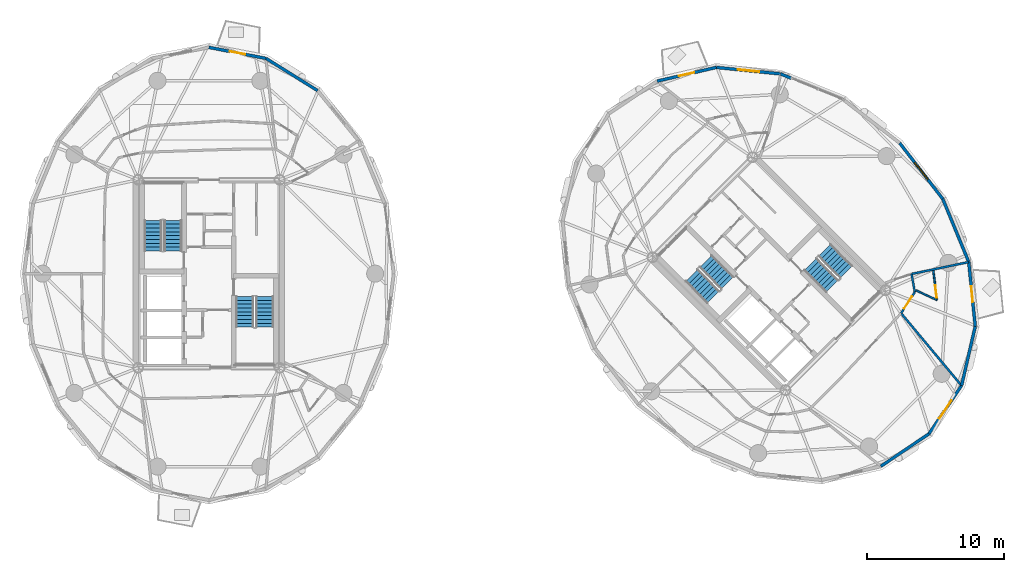
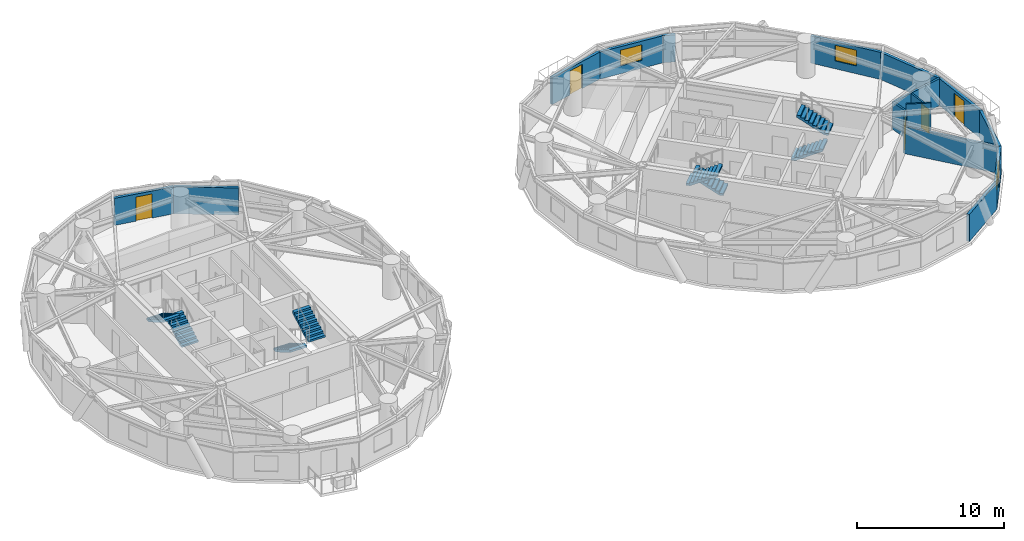
# One storey, part 13 of 16: 17 walls, 8 stair flights, 5 doors, 3 windows, 8 openings, 4 elements without a shape of their own.
"""IFC4 building model written with IfcOpenShell, lengths in metres."""

from ifc_helpers import new_model, si_unit, direction, frame, frame_2d, origin, place, context, subcontext, project, spatial, polyline, rectangle, outline, extrude, source, transform, mapped, material, layer, layer_set, type_object, element, fill, aggregate, save


model = new_model("IFC4")

# Units and contexts
model_context = context("Model", 3, precision=1e-05, world=origin(), true_north=direction((0.0, 1.0)))
body_context = subcontext(model_context, "Body", "Model", "MODEL_VIEW")
ifc_project = project(units=[si_unit("LENGTHUNIT", "METRE"), si_unit("AREAUNIT", "SQUARE_METRE"), si_unit("VOLUMEUNIT", "CUBIC_METRE"), si_unit("PLANEANGLEUNIT", "RADIAN"), si_unit("MASSUNIT", "GRAM", prefix="KILO")], contexts=[model_context])

# Site, building, storey
site_placement = place(None, origin())
site = spatial("IfcSite", under=ifc_project, at=site_placement, CompositionType="ELEMENT")
building_placement = place(site_placement, origin())
building = spatial("IfcBuilding", under=site, at=building_placement, Name="Cununo Teusaquillo Station Towers", CompositionType="ELEMENT")
storey_placement = place(building_placement, frame((0.0, 0.0, 171.969970703125)))
storey = spatial("IfcBuildingStorey", under=building, at=storey_placement, Name="L54", CompositionType="ELEMENT", Elevation=171.969970703125)

# Wall
ifc_material_1 = material(Name="Precast concrete C40/50", Category="concrete")
ifc_layer_1 = layer(ifc_material_1, 0.219970703125)
ifc_layer_set_1 = layer_set([ifc_layer_1], Name="Precast concrete C40/50")
wall_type_1 = type_object("IfcWallType", Name="WL-EXT-220", PredefinedType="SOLIDWALL", material=ifc_layer_set_1)
wall_1_placement = place(storey_placement, frame((20.681396484375, 40.259033203125, 0.0), z_axis=(0.0, 0.0, 1.0), x_axis=(0.848399108042, -0.529357113368, 0.0)))
element("IfcWall", 1, at=wall_1_placement, inside=storey, type_object=wall_type_1, Name="L54 Tower A Exterior Facade Wall C03", PredefinedType="SOLIDWALL", context=body_context, shape_type="SweptSolid", body=[
    extrude(rectangle(XDim=4.446044921875, YDim=0.219970703125, at=frame_2d((2.22314453125, 0.0))), origin(), (0.0, 0.0, 1.0), 2.2451171875),
])

# Wall, opening, door
wall_2_placement = place(storey_placement, frame((16.5, 41.070068359375, 0.0), z_axis=(0.0, 0.0, 1.0), x_axis=(0.981703883443, -0.190413983815, 0.0)))
wall_2 = element("IfcWall", 2, at=wall_2_placement, inside=storey, type_object=wall_type_1, Name="L54 Tower A Exterior Facade Wall C04", PredefinedType="SOLIDWALL", context=body_context, shape_type="SweptSolid", body=[
    extrude(rectangle(XDim=4.25927734375, YDim=0.219970703125, at=frame_2d((2.129638671875, 0.0))), origin(), (0.0, 0.0, 1.0), 2.2451171875),
])
shared_shape_1 = source(origin(), body_context, "Body", "SweptSolid", [
    extrude(rectangle(XDim=1.14990234375, YDim=2.0048828125, at=frame_2d((0.574951171875, 1.00244140625))), frame((0.0, 0.119873046875, 0.0), z_axis=(0.0, -1.0, 0.0), x_axis=(1.0, 0.0, 0.0)), (0.0, 0.0, 1.0), 0.239990234375),
])
opening_1_placement = place(wall_2_placement, frame((1.554931640625, 0.0, 0.0)))
opening_1 = element("IfcOpeningElement", 3, at=opening_1_placement, cuts=wall_2, Name="Opening ED-03", PredefinedType="OPENING", context=body_context, shape_type="MappedRepresentation", body=[
    mapped(shared_shape_1, transform((0.0, 0.0, 0.0), x_axis=(1.0, 0.0, 0.0), y_axis=(0.0, 1.0, 0.0), z_axis=(0.0, 0.0, 1.0), scale=1.0)),
])
ifc_material_2 = material(Name="Anodised dark bronze aluminium EN AW-6063-T6", Category="aluminium")
door_type_1 = type_object("IfcDoorType", Name="DR-EXT-BAL", OperationType="NOTDEFINED", PredefinedType="DOOR", material=ifc_material_2)
shared_shape_2 = source(origin(), body_context, "Body", "SweptSolid", [
    extrude(rectangle(XDim=1.14990234375, YDim=2.0048828125, at=frame_2d((0.574951171875, 1.00244140625))), frame((0.0, 0.02490234375, 0.0), z_axis=(0.0, -1.0, 0.0), x_axis=(1.0, 0.0, 0.0)), (0.0, 0.0, 1.0), 0.050048828125),
])
door_1_placement = place(opening_1_placement, origin())
door_1 = element("IfcDoor", 4, at=door_1_placement, inside=storey, type_object=door_type_1, Name="L54 Tower A Tree Balcony Door C04", OperationType="SINGLE_SWING_LEFT", OverallHeight=2.0048828125, OverallWidth=1.14990234375, PredefinedType="DOOR", context=body_context, shape_type="MappedRepresentation", body=[
    mapped(shared_shape_2, transform((0.0, 0.0, 0.0), x_axis=(1.0, 0.0, 0.0), y_axis=(0.0, 1.0, 0.0), z_axis=(0.0, 0.0, 1.0), scale=1.0)),
])
fill(opening_1, door_1)

# Wall
wall_3_placement = place(storey_placement, frame((58.353515625, 39.12744140625, 0.0), z_axis=(0.0, 0.0, 1.0), x_axis=(0.924556017656, -0.381046152345, 0.0)))
element("IfcWall", 5, at=wall_3_placement, inside=storey, type_object=wall_type_1, Name="L54 Tower B Column Pier Cladding Wall C01-PA", PredefinedType="SOLIDWALL", context=body_context, shape_type="SweptSolid", body=[
    extrude(rectangle(XDim=0.8701171875, YDim=0.219970703125, at=frame_2d((0.43505859375, 0.0))), origin(), (0.0, 0.0, 1.0), 2.2451171875),
])

# Wall, opening, window
wall_4_placement = place(storey_placement, frame((53.644775390625, 39.602783203125, 0.0), z_axis=(0.0, 0.0, 1.0), x_axis=(0.994943283129, -0.100438356004, 0.0)))
wall_4 = element("IfcWall", 6, at=wall_4_placement, inside=storey, type_object=wall_type_1, Name="L54 Tower B Exterior Facade Wall C02", PredefinedType="SOLIDWALL", context=body_context, shape_type="SweptSolid", body=[
    extrude(rectangle(XDim=4.732666015625, YDim=0.219970703125, at=frame_2d((2.3662109375, 0.0))), origin(), (0.0, 0.0, 1.0), 2.2451171875),
])
shared_shape_3 = source(origin(), body_context, "Body", "SweptSolid", [
    extrude(rectangle(XDim=1.60009765625, YDim=1.300048828125, at=frame_2d((0.800048828125, 0.64990234375))), frame((0.0, 0.119873046875, 0.0), z_axis=(0.0, -1.0, 0.0), x_axis=(1.0, 0.0, 0.0)), (0.0, 0.0, 1.0), 0.239990234375),
])
opening_2_placement = place(wall_4_placement, frame((1.56591796875, 0.0, 0.64990234375)))
opening_2 = element("IfcOpeningElement", 7, at=opening_2_placement, cuts=wall_4, Name="Opening WN-03", PredefinedType="OPENING", context=body_context, shape_type="MappedRepresentation", body=[
    mapped(shared_shape_3, transform((0.0, 0.0, 0.0), x_axis=(1.0, 0.0, 0.0), y_axis=(0.0, 1.0, 0.0), z_axis=(0.0, 0.0, 1.0), scale=1.0)),
])
ifc_material_3 = material(Name="Ceramic-fritted dark low-E double glazing", Category="glass")
window_type = type_object("IfcWindowType", Name="WIN-CORN-1600", PartitioningType="SINGLE_PANEL", PredefinedType="WINDOW", material=ifc_material_3)
shared_shape_4 = source(origin(), body_context, "Body", "SweptSolid", [
    extrude(rectangle(XDim=1.60009765625, YDim=1.300048828125, at=frame_2d((0.800048828125, 0.64990234375))), frame((0.0, 0.030029296875, 0.0), z_axis=(0.0, -1.0, 0.0), x_axis=(1.0, 0.0, 0.0)), (0.0, 0.0, 1.0), 0.06005859375),
])
window_1_placement = place(opening_2_placement, origin())
window_1 = element("IfcWindow", 8, at=window_1_placement, inside=storey, type_object=window_type, Name="L54 Tower B Facade Window C02", OverallHeight=1.300048828125, OverallWidth=1.60009765625, PartitioningType="SINGLE_PANEL", PredefinedType="WINDOW", context=body_context, shape_type="MappedRepresentation", body=[
    mapped(shared_shape_4, transform((0.0, 0.0, 0.0), x_axis=(1.0, 0.0, 0.0), y_axis=(0.0, 1.0, 0.0), z_axis=(0.0, 0.0, 1.0), scale=1.0)),
])
fill(opening_2, window_1)

# Wall, opening, door
wall_5_placement = place(storey_placement, frame((49.313232421875, 38.599853515625, 0.0), z_axis=(0.0, 0.0, 1.0), x_axis=(0.97422620202, 0.22557328587, 0.0)))
wall_5 = element("IfcWall", 9, at=wall_5_placement, inside=storey, type_object=wall_type_1, Name="L54 Tower B Exterior Facade Wall C03", PredefinedType="SOLIDWALL", context=body_context, shape_type="SweptSolid", body=[
    extrude(rectangle(XDim=4.446044921875, YDim=0.219970703125, at=frame_2d((2.22314453125, 0.0))), origin(), (0.0, 0.0, 1.0), 2.2451171875),
])
opening_3_placement = place(wall_5_placement, frame((1.64794921875, 0.0, 0.0)))
opening_3 = element("IfcOpeningElement", 10, at=opening_3_placement, cuts=wall_5, Name="Opening ED-03", PredefinedType="OPENING", context=body_context, shape_type="MappedRepresentation", body=[
    mapped(shared_shape_1, transform((0.0, 0.0, 0.0), x_axis=(1.0, 0.0, 0.0), y_axis=(0.0, 1.0, 0.0), z_axis=(0.0, 0.0, 1.0), scale=1.0)),
])
door_2_placement = place(opening_3_placement, origin())
door_2 = element("IfcDoor", 11, at=door_2_placement, inside=storey, type_object=door_type_1, Name="L54 Tower B Tree Balcony Door C03", OperationType="SINGLE_SWING_LEFT", OverallHeight=2.0048828125, OverallWidth=1.14990234375, PredefinedType="DOOR", context=body_context, shape_type="MappedRepresentation", body=[
    mapped(shared_shape_2, transform((0.0, 0.0, 0.0), x_axis=(1.0, 0.0, 0.0), y_axis=(0.0, 1.0, 0.0), z_axis=(0.0, 0.0, 1.0), scale=1.0)),
])
fill(opening_3, door_2)

# Wall
wall_6_placement = place(storey_placement, frame((69.216796875, 12.783203125, 0.0), z_axis=(0.0, 0.0, 1.0), x_axis=(-0.828817439852, -0.55951912514, 0.0)))
element("IfcWall", 12, at=wall_6_placement, inside=storey, type_object=wall_type_1, Name="L54 Tower B Exterior Facade Wall C14", PredefinedType="SOLIDWALL", context=body_context, shape_type="SweptSolid", body=[
    extrude(rectangle(XDim=4.259033203125, YDim=0.219970703125, at=frame_2d((2.12939453125, 0.0))), origin(), (0.0, 0.0, 1.0), 2.2451171875),
])

# Wall, opening, window
wall_7_placement = place(storey_placement, frame((71.599853515625, 16.313232421875, 0.0), z_axis=(0.0, 0.0, 1.0), x_axis=(-0.55951912514, -0.828817439852, 0.0)))
wall_7 = element("IfcWall", 13, at=wall_7_placement, inside=storey, type_object=wall_type_1, Name="L54 Tower B Exterior Facade Wall C15", PredefinedType="SOLIDWALL", context=body_context, shape_type="SweptSolid", body=[
    extrude(rectangle(XDim=4.259033203125, YDim=0.219970703125, at=frame_2d((2.12939453125, 0.0))), origin(), (0.0, 0.0, 1.0), 2.2451171875),
])
opening_4_placement = place(wall_7_placement, frame((1.330078125, 0.0, 0.64990234375)))
opening_4 = element("IfcOpeningElement", 14, at=opening_4_placement, cuts=wall_7, Name="Opening WN-03", PredefinedType="OPENING", context=body_context, shape_type="MappedRepresentation", body=[
    mapped(shared_shape_3, transform((0.0, 0.0, 0.0), x_axis=(1.0, 0.0, 0.0), y_axis=(0.0, 1.0, 0.0), z_axis=(0.0, 0.0, 1.0), scale=1.0)),
])
window_2_placement = place(opening_4_placement, origin())
window_2 = element("IfcWindow", 15, at=window_2_placement, inside=storey, type_object=window_type, Name="L54 Tower B Facade Window C15", OverallHeight=1.300048828125, OverallWidth=1.60009765625, PartitioningType="SINGLE_PANEL", PredefinedType="WINDOW", context=body_context, shape_type="MappedRepresentation", body=[
    mapped(shared_shape_4, transform((0.0, 0.0, 0.0), x_axis=(1.0, 0.0, 0.0), y_axis=(0.0, 1.0, 0.0), z_axis=(0.0, 0.0, 1.0), scale=1.0)),
])
fill(opening_4, window_2)

# Wall
wall_8_placement = place(storey_placement, frame((72.602783203125, 20.644775390625, 0.0), z_axis=(0.0, 0.0, 1.0), x_axis=(-0.22557328587, -0.97422620202, 0.0)))
element("IfcWall", 16, at=wall_8_placement, inside=storey, type_object=wall_type_1, Name="L54 Tower B Exterior Facade Wall C16", PredefinedType="SOLIDWALL", context=body_context, shape_type="SweptSolid", body=[
    extrude(rectangle(XDim=4.446044921875, YDim=0.219970703125, at=frame_2d((2.22314453125, 0.0))), origin(), (0.0, 0.0, 1.0), 2.2451171875),
])

# Wall, opening, door
wall_9_placement = place(storey_placement, frame((72.12744140625, 25.353515625, 0.0), z_axis=(0.0, 0.0, 1.0), x_axis=(0.100438356004, -0.994943283129, 0.0)))
wall_9 = element("IfcWall", 17, at=wall_9_placement, inside=storey, type_object=wall_type_1, Name="L54 Tower B Exterior Facade Wall C17", PredefinedType="SOLIDWALL", context=body_context, shape_type="SweptSolid", body=[
    extrude(rectangle(XDim=4.732666015625, YDim=0.219970703125, at=frame_2d((2.3662109375, 0.0))), origin(), (0.0, 0.0, 1.0), 2.2451171875),
])
opening_5_placement = place(wall_9_placement, frame((1.791015625, 0.0, 0.0)))
opening_5 = element("IfcOpeningElement", 18, at=opening_5_placement, cuts=wall_9, Name="Opening ED-03", PredefinedType="OPENING", context=body_context, shape_type="MappedRepresentation", body=[
    mapped(shared_shape_1, transform((0.0, 0.0, 0.0), x_axis=(1.0, 0.0, 0.0), y_axis=(0.0, 1.0, 0.0), z_axis=(0.0, 0.0, 1.0), scale=1.0)),
])
door_3_placement = place(opening_5_placement, origin())
door_3 = element("IfcDoor", 19, at=door_3_placement, inside=storey, type_object=door_type_1, Name="L54 Tower B Tree Balcony Door C17", OperationType="SINGLE_SWING_LEFT", OverallHeight=2.0048828125, OverallWidth=1.14990234375, PredefinedType="DOOR", context=body_context, shape_type="MappedRepresentation", body=[
    mapped(shared_shape_2, transform((0.0, 0.0, 0.0), x_axis=(1.0, 0.0, 0.0), y_axis=(0.0, 1.0, 0.0), z_axis=(0.0, 0.0, 1.0), scale=1.0)),
])
fill(opening_5, door_3)

# Wall
wall_10_placement = place(storey_placement, frame((70.22021484375, 29.97900390625, 0.0), z_axis=(0.0, 0.0, 1.0), x_axis=(0.381196434348, -0.924494066201, 0.0)))
element("IfcWall", 20, at=wall_10_placement, inside=storey, type_object=wall_type_1, Name="L54 Tower B Exterior Facade Wall C18", PredefinedType="SOLIDWALL", context=body_context, shape_type="SweptSolid", body=[
    extrude(rectangle(XDim=5.003173828125, YDim=0.219970703125, at=frame_2d((2.50146484375, 0.0))), origin(), (0.0, 0.0, 1.0), 2.2451171875),
])

# Wall, opening, window
wall_11_placement = place(storey_placement, frame((67.06787109375, 34.06787109375, 0.0), z_axis=(0.0, 0.0, 1.0), x_axis=(0.610569654715, -0.791962560189, 0.0)))
wall_11 = element("IfcWall", 21, at=wall_11_placement, inside=storey, type_object=wall_type_1, Name="L54 Tower B Exterior Facade Wall C19", PredefinedType="SOLIDWALL", context=body_context, shape_type="SweptSolid", body=[
    extrude(rectangle(XDim=5.162841796875, YDim=0.219970703125, at=frame_2d((2.58154296875, 0.0))), origin(), (0.0, 0.0, 1.0), 2.2451171875),
])
opening_6_placement = place(wall_11_placement, frame((1.781982421875, 0.0, 0.64990234375)))
opening_6 = element("IfcOpeningElement", 22, at=opening_6_placement, cuts=wall_11, Name="Opening WN-03", PredefinedType="OPENING", context=body_context, shape_type="MappedRepresentation", body=[
    mapped(shared_shape_3, transform((0.0, 0.0, 0.0), x_axis=(1.0, 0.0, 0.0), y_axis=(0.0, 1.0, 0.0), z_axis=(0.0, 0.0, 1.0), scale=1.0)),
])
window_3_placement = place(opening_6_placement, origin())
window_3 = element("IfcWindow", 23, at=window_3_placement, inside=storey, type_object=window_type, Name="L54 Tower B Facade Window C19", OverallHeight=1.300048828125, OverallWidth=1.60009765625, PartitioningType="SINGLE_PANEL", PredefinedType="WINDOW", context=body_context, shape_type="MappedRepresentation", body=[
    mapped(shared_shape_4, transform((0.0, 0.0, 0.0), x_axis=(1.0, 0.0, 0.0), y_axis=(0.0, 1.0, 0.0), z_axis=(0.0, 0.0, 1.0), scale=1.0)),
])
fill(opening_6, window_3)

# Wall
ifc_material_4 = material(Name="Fire-rated gypsum plasterboard partition assembly", Category="gypsum")
ifc_layer_2 = layer(ifc_material_4, 0.125)
ifc_layer_set_2 = layer_set([ifc_layer_2], Name="Fire-rated gypsum plasterboard partition assembly")
wall_type_2 = type_object("IfcWallType", Name="WL-PART-125", PredefinedType="PARTITIONING", material=ifc_layer_set_2)
wall_12_placement = place(storey_placement, frame((68.274658203125, 23.27978515625, 0.0), z_axis=(0.0, 0.0, 1.0), x_axis=(0.906681243062, -0.421816457099, 0.0)))
element("IfcWall", 24, at=wall_12_placement, inside=storey, type_object=wall_type_2, Name="L54 Tower B S06 En-suite Side Wall", PredefinedType="PARTITIONING", context=body_context, shape_type="SweptSolid", body=[
    extrude(rectangle(XDim=1.688232421875, YDim=0.125, at=frame_2d((0.84423828125, 0.0))), origin(), (0.0, 0.0, 1.0), 2.675048828125),
])

# Wall, opening, door
wall_13_placement = place(storey_placement, frame((69.797119140625, 22.6328125, 0.0), z_axis=(0.0, 0.0, 1.0), x_axis=(-0.125234581717, 0.992127158958, 0.0)))
wall_13 = element("IfcWall", 25, at=wall_13_placement, inside=storey, type_object=wall_type_2, Name="L54 Tower B S06 En-suite Back Wall", PredefinedType="PARTITIONING", context=body_context, shape_type="SweptSolid", body=[
    extrude(rectangle(XDim=2.103515625, YDim=0.125, at=frame_2d((1.0517578125, 0.0))), origin(), (0.0, 0.0, 1.0), 2.2451171875),
])
shared_shape_5 = source(origin(), body_context, "Body", "SweptSolid", [
    extrude(rectangle(XDim=0.89990234375, YDim=2.0048828125, at=frame_2d((0.449951171875, 1.00244140625))), frame((0.0, 0.072509765625, 0.0), z_axis=(0.0, -1.0, 0.0), x_axis=(1.0, 0.0, 0.0)), (0.0, 0.0, 1.0), 0.14501953125),
])
opening_7_placement = place(wall_13_placement, frame((0.1201171875, 0.0, 0.0)))
opening_7 = element("IfcOpeningElement", 26, at=opening_7_placement, cuts=wall_13, Name="Opening D-IN1", PredefinedType="OPENING", context=body_context, shape_type="MappedRepresentation", body=[
    mapped(shared_shape_5, transform((0.0, 0.0, 0.0), x_axis=(1.0, 0.0, 0.0), y_axis=(0.0, 1.0, 0.0), z_axis=(0.0, 0.0, 1.0), scale=1.0)),
])
ifc_material_5 = material(Name="Acoustic solid-core hardwood leaf assembly", Category="wood")
door_type_2 = type_object("IfcDoorType", Name="DR-INT-900", OperationType="NOTDEFINED", PredefinedType="DOOR", material=ifc_material_5)
shared_shape_6 = source(origin(), body_context, "Body", "SweptSolid", [
    extrude(rectangle(XDim=0.89990234375, YDim=2.0048828125, at=frame_2d((0.449951171875, 1.00244140625))), frame((0.0, 0.02490234375, 0.0), z_axis=(0.0, -1.0, 0.0), x_axis=(1.0, 0.0, 0.0)), (0.0, 0.0, 1.0), 0.050048828125),
])
door_4_placement = place(opening_7_placement, origin())
door_4 = element("IfcDoor", 27, at=door_4_placement, inside=storey, type_object=door_type_2, Name="L54 Tower B S06 En-suite Bathroom Door", OperationType="SINGLE_SWING_LEFT", OverallHeight=2.0048828125, OverallWidth=0.89990234375, PredefinedType="DOOR", context=body_context, shape_type="MappedRepresentation", body=[
    mapped(shared_shape_6, transform((0.0, 0.0, 0.0), x_axis=(1.0, 0.0, 0.0), y_axis=(0.0, 1.0, 0.0), z_axis=(0.0, 0.0, 1.0), scale=1.0)),
])
fill(opening_7, door_4)

ifc_material_6 = material(Name="Fire-rated gypsum plasterboard partition assembly", Category="gypsum")
ifc_layer_3 = layer(ifc_material_6, 0.14990234375)
ifc_layer_set_3 = layer_set([ifc_layer_3], Name="Fire-rated gypsum plasterboard partition assembly")
wall_type_3 = type_object("IfcWallType", Name="WL-PART-150", PredefinedType="PARTITIONING", material=ifc_layer_set_3)
wall_14_placement = place(storey_placement, frame((67.17333984375, 21.6083984375, 0.0), z_axis=(0.0, 0.0, 1.0), x_axis=(0.544299403682, 0.838891029367, 0.0)))
wall_14 = element("IfcWall", 28, at=wall_14_placement, inside=storey, type_object=wall_type_3, Name="L54 Tower B Corridor Ring Wall C16", PredefinedType="PARTITIONING", context=body_context, shape_type="SweptSolid", body=[
    extrude(rectangle(XDim=1.843994140625, YDim=0.14990234375, at=frame_2d((0.921875, 0.0))), origin(), (0.0, 0.0, 1.0), 2.2451171875),
])
shared_shape_7 = source(origin(), body_context, "Body", "SweptSolid", [
    extrude(rectangle(XDim=1.050048828125, YDim=2.014892578125, at=frame_2d((0.52490234375, 1.00732421875))), frame((0.0, 0.0849609375, 0.0), z_axis=(0.0, -1.0, 0.0), x_axis=(1.0, 0.0, 0.0)), (0.0, 0.0, 1.0), 0.169921875),
])
opening_8_placement = place(wall_14_placement, frame((0.39697265625, 0.0, 0.0)))
opening_8 = element("IfcOpeningElement", 29, at=opening_8_placement, cuts=wall_14, Name="Opening D-SU1", PredefinedType="OPENING", context=body_context, shape_type="MappedRepresentation", body=[
    mapped(shared_shape_7, transform((0.0, 0.0, 0.0), x_axis=(1.0, 0.0, 0.0), y_axis=(0.0, 1.0, 0.0), z_axis=(0.0, 0.0, 1.0), scale=1.0)),
])
ifc_material_7 = material(Name="Acoustic solid-core hardwood leaf assembly", Category="wood")
door_type_3 = type_object("IfcDoorType", Name="DR-SUITE-1050", OperationType="NOTDEFINED", PredefinedType="DOOR", material=ifc_material_7)
shared_shape_8 = source(origin(), body_context, "Body", "SweptSolid", [
    extrude(rectangle(XDim=1.050048828125, YDim=2.014892578125, at=frame_2d((0.52490234375, 1.00732421875))), frame((0.0, 0.02490234375, 0.0), z_axis=(0.0, -1.0, 0.0), x_axis=(1.0, 0.0, 0.0)), (0.0, 0.0, 1.0), 0.050048828125),
])
door_5_placement = place(opening_8_placement, origin())
door_5 = element("IfcDoor", 30, at=door_5_placement, inside=storey, type_object=door_type_3, Name="L54 Tower B Diplomatic Crest Hotel Suite Entrance Door", OperationType="SINGLE_SWING_RIGHT", OverallHeight=2.014892578125, OverallWidth=1.050048828125, PredefinedType="DOOR", context=body_context, shape_type="MappedRepresentation", body=[
    mapped(shared_shape_8, transform((0.0, 0.0, 0.0), x_axis=(1.0, 0.0, 0.0), y_axis=(0.0, 1.0, 0.0), z_axis=(0.0, 0.0, 1.0), scale=1.0)),
])
fill(opening_8, door_5)

# Walls
wall_15_placement = place(storey_placement, frame((68.177001953125, 23.1552734375, 0.0), z_axis=(0.0, 0.0, 1.0), x_axis=(-0.1778483434, 0.98405790823, 0.0)))
element("IfcWall", 31, at=wall_15_placement, inside=storey, type_object=wall_type_3, Name="L54 Tower B Corridor Ring Wall C17", PredefinedType="PARTITIONING", context=body_context, shape_type="SweptSolid", body=[
    extrude(rectangle(XDim=1.3466796875, YDim=0.14990234375, at=frame_2d((0.67333984375, 0.0))), origin(), (0.0, 0.0, 1.0), 2.2451171875),
])
ifc_material_8 = material(Name="Fire-rated gypsum plasterboard partition assembly", Category="gypsum")
ifc_layer_4 = layer(ifc_material_8, 0.159912109375)
ifc_layer_set_4 = layer_set([ifc_layer_4], Name="Fire-rated gypsum plasterboard partition assembly")
wall_type_4 = type_object("IfcWallType", Name="WL-PART-160", PredefinedType="PARTITIONING", material=ifc_layer_set_4)
wall_16_placement = place(storey_placement, frame((67.17333984375, 21.6083984375, 0.0), z_axis=(0.0, 0.0, 1.0), x_axis=(0.64050880156, -0.767950828585, 0.0)))
element("IfcWall", 32, at=wall_16_placement, inside=storey, type_object=wall_type_4, Name="L54 Tower B Radial Suite Partition R06", PredefinedType="PARTITIONING", context=body_context, shape_type="SweptSolid", body=[
    extrude(rectangle(XDim=6.883056640625, YDim=0.159912109375, at=frame_2d((3.44140625, 0.0))), origin(), (0.0, 0.0, 1.0), 2.2451171875),
])
wall_17_placement = place(storey_placement, frame((67.9375, 24.48046875, 0.0), z_axis=(0.0, 0.0, 1.0), x_axis=(0.978917914143, 0.204254051051, 0.0)))
element("IfcWall", 33, at=wall_17_placement, inside=storey, type_object=wall_type_4, Name="L54 Tower B Radial Suite Partition R07", PredefinedType="PARTITIONING", context=body_context, shape_type="SweptSolid", body=[
    extrude(rectangle(XDim=4.260009765625, YDim=0.159912109375, at=frame_2d((2.1298828125, 0.0))), origin(), (0.0, 0.0, 1.0), 2.2451171875),
])

# Stair, stair flights
ifc_material_9 = material(Name="Concrete C50/60", Category="concrete")
stair_type = type_object("IfcStairType", Name="ST-TWR-1300", PredefinedType="HALF_TURN_STAIR", material=ifc_material_9)
stair_1_placement = place(storey_placement, origin())
stair_1 = element("IfcStair", 34, at=stair_1_placement, inside=storey, type_object=stair_type, Name="L54 Tower A Protected Core Exit Stair 1", PredefinedType="HALF_TURN_STAIR")
ifc_material_10 = material(Name="Concrete C50/60", Category="concrete")
stair_flight_type = type_object("IfcStairFlightType", Name="SFL-TWR-1300", PredefinedType="STRAIGHT", material=ifc_material_10)
stair_flight_1_placement = place(storey_placement, frame((13.8701171875, 26.169921875, 0.0), z_axis=(0.0, 0.0, 1.0), x_axis=(0.0, 1.0, 0.0)))
stair_flight_1 = element("IfcStairFlight", 35, at=stair_flight_1_placement, type_object=stair_flight_type, Name="ST-T1-1 flight 1", NumberOfRisers=9, NumberOfTreads=8, PredefinedType="STRAIGHT", RiserHeight=0.161666667, TreadLength=0.28, context=body_context, shape_type="SweptSolid", body=[
    extrude(outline(polyline([(0.0, 0.0), (0.0, 0.16162109375), (0.280029296875, 0.16162109375), (0.280029296875, 0.3232421875), (0.56005859375, 0.3232421875), (0.56005859375, 0.485107421875), (0.840087890625, 0.485107421875), (0.840087890625, 0.646728515625), (1.1201171875, 0.646728515625), (1.1201171875, 0.808349609375), (1.39990234375, 0.808349609375), (1.39990234375, 0.969970703125), (1.679931640625, 0.969970703125), (1.679931640625, 1.131591796875), (1.9599609375, 1.131591796875), (1.9599609375, 1.293212890625), (2.239990234375, 1.293212890625), (2.239990234375, 1.455078125), (2.239990234375, 1.1201171875), (0.2998046875, 0.0), (0.0, 0.0)])), frame((0.0, 0.64990234375, 0.0), z_axis=(0.0, -1.0, 0.0), x_axis=(1.0, 0.0, 0.0)), (0.0, 0.0, 1.0), 1.300048828125),
])
stair_flight_2_placement = place(storey_placement, frame((12.409912109375, 28.409912109375, 1.455078125), z_axis=(0.0, 0.0, 1.0), x_axis=(0.0, -1.0, 0.0)))
stair_flight_2 = element("IfcStairFlight", 36, at=stair_flight_2_placement, type_object=stair_flight_type, Name="ST-T1-1 flight 2", NumberOfRisers=9, NumberOfTreads=8, PredefinedType="STRAIGHT", RiserHeight=0.161666667, TreadLength=0.28, context=body_context, shape_type="SweptSolid", body=[
    extrude(outline(polyline([(0.0, 0.0), (0.0, 0.16162109375), (0.280029296875, 0.16162109375), (0.280029296875, 0.3232421875), (0.56005859375, 0.3232421875), (0.56005859375, 0.485107421875), (0.840087890625, 0.485107421875), (0.840087890625, 0.646728515625), (1.1201171875, 0.646728515625), (1.1201171875, 0.808349609375), (1.39990234375, 0.808349609375), (1.39990234375, 0.969970703125), (1.679931640625, 0.969970703125), (1.679931640625, 1.131591796875), (1.9599609375, 1.131591796875), (1.9599609375, 1.293212890625), (2.239990234375, 1.293212890625), (2.239990234375, 1.455078125), (2.239990234375, 1.1201171875), (0.2998046875, 0.0), (0.0, 0.0)])), frame((0.0, 0.64990234375, 0.0), z_axis=(0.0, -1.0, 0.0), x_axis=(1.0, 0.0, 0.0)), (0.0, 0.0, 1.0), 1.300048828125),
])
aggregate(stair_1, [stair_flight_1, stair_flight_2])

stair_2_placement = place(storey_placement, origin())
stair_2 = element("IfcStair", 37, at=stair_2_placement, inside=storey, type_object=stair_type, Name="L54 Tower A Protected Core Exit Stair 2", PredefinedType="HALF_TURN_STAIR")
stair_flight_3_placement = place(storey_placement, frame((19.1298828125, 22.830078125, 0.0), z_axis=(0.0, 0.0, 1.0), x_axis=(0.0, -1.0, 0.0)))
stair_flight_3 = element("IfcStairFlight", 38, at=stair_flight_3_placement, type_object=stair_flight_type, Name="ST-T1-2 flight 1", NumberOfRisers=9, NumberOfTreads=8, PredefinedType="STRAIGHT", RiserHeight=0.161666667, TreadLength=0.28, context=body_context, shape_type="SweptSolid", body=[
    extrude(outline(polyline([(0.0, 0.0), (0.0, 0.16162109375), (0.280029296875, 0.16162109375), (0.280029296875, 0.3232421875), (0.56005859375, 0.3232421875), (0.56005859375, 0.485107421875), (0.840087890625, 0.485107421875), (0.840087890625, 0.646728515625), (1.1201171875, 0.646728515625), (1.1201171875, 0.808349609375), (1.39990234375, 0.808349609375), (1.39990234375, 0.969970703125), (1.679931640625, 0.969970703125), (1.679931640625, 1.131591796875), (1.9599609375, 1.131591796875), (1.9599609375, 1.293212890625), (2.239990234375, 1.293212890625), (2.239990234375, 1.455078125), (2.239990234375, 1.1201171875), (0.2998046875, 0.0), (0.0, 0.0)])), frame((0.0, 0.64990234375, 0.0), z_axis=(0.0, -1.0, 0.0), x_axis=(1.0, 0.0, 0.0)), (0.0, 0.0, 1.0), 1.300048828125),
])
stair_flight_4_placement = place(storey_placement, frame((20.590087890625, 20.590087890625, 1.455078125), z_axis=(0.0, 0.0, 1.0), x_axis=(0.0, 1.0, 0.0)))
stair_flight_4 = element("IfcStairFlight", 39, at=stair_flight_4_placement, type_object=stair_flight_type, Name="ST-T1-2 flight 2", NumberOfRisers=9, NumberOfTreads=8, PredefinedType="STRAIGHT", RiserHeight=0.161666667, TreadLength=0.28, context=body_context, shape_type="SweptSolid", body=[
    extrude(outline(polyline([(0.0, 0.0), (0.0, 0.16162109375), (0.280029296875, 0.16162109375), (0.280029296875, 0.3232421875), (0.56005859375, 0.3232421875), (0.56005859375, 0.485107421875), (0.840087890625, 0.485107421875), (0.840087890625, 0.646728515625), (1.1201171875, 0.646728515625), (1.1201171875, 0.808349609375), (1.39990234375, 0.808349609375), (1.39990234375, 0.969970703125), (1.679931640625, 0.969970703125), (1.679931640625, 1.131591796875), (1.9599609375, 1.131591796875), (1.9599609375, 1.293212890625), (2.239990234375, 1.293212890625), (2.239990234375, 1.455078125), (2.239990234375, 1.1201171875), (0.2998046875, 0.0), (0.0, 0.0)])), frame((0.0, 0.64990234375, 0.0), z_axis=(0.0, -1.0, 0.0), x_axis=(1.0, 0.0, 0.0)), (0.0, 0.0, 1.0), 1.300048828125),
])
aggregate(stair_2, [stair_flight_3, stair_flight_4])

stair_3_placement = place(storey_placement, origin())
stair_3 = element("IfcStair", 40, at=stair_3_placement, inside=storey, type_object=stair_type, Name="L54 Tower B Protected Core Exit Stair 1", PredefinedType="HALF_TURN_STAIR")
stair_flight_5_placement = place(storey_placement, frame((54.45947265625, 23.8212890625, 0.0), z_axis=(0.0, 0.0, 1.0), x_axis=(-0.707106781187, 0.707106781187, 0.0)))
stair_flight_5 = element("IfcStairFlight", 41, at=stair_flight_5_placement, type_object=stair_flight_type, Name="ST-T2-1 flight 1", NumberOfRisers=9, NumberOfTreads=8, PredefinedType="STRAIGHT", RiserHeight=0.161666667, TreadLength=0.28, context=body_context, shape_type="SweptSolid", body=[
    extrude(outline(polyline([(0.0, 0.0), (0.0, 0.16162109375), (0.280029296875, 0.16162109375), (0.280029296875, 0.3232421875), (0.56005859375, 0.3232421875), (0.56005859375, 0.485107421875), (0.840087890625, 0.485107421875), (0.840087890625, 0.646728515625), (1.1201171875, 0.646728515625), (1.1201171875, 0.808349609375), (1.39990234375, 0.808349609375), (1.39990234375, 0.969970703125), (1.679931640625, 0.969970703125), (1.679931640625, 1.131591796875), (1.9599609375, 1.131591796875), (1.9599609375, 1.293212890625), (2.239990234375, 1.293212890625), (2.239990234375, 1.455078125), (2.239990234375, 1.1201171875), (0.2998046875, 0.0), (0.0, 0.0)])), frame((0.0, 0.64990234375, 0.0), z_axis=(0.0, -1.0, 0.0), x_axis=(1.0, 0.0, 0.0)), (0.0, 0.0, 1.0), 1.300048828125),
])
stair_flight_6_placement = place(storey_placement, frame((51.84326171875, 24.372802734375, 1.455078125), z_axis=(0.0, 0.0, 1.0), x_axis=(0.707106781187, -0.707106781187, 0.0)))
stair_flight_6 = element("IfcStairFlight", 42, at=stair_flight_6_placement, type_object=stair_flight_type, Name="ST-T2-1 flight 2", NumberOfRisers=9, NumberOfTreads=8, PredefinedType="STRAIGHT", RiserHeight=0.161666667, TreadLength=0.28, context=body_context, shape_type="SweptSolid", body=[
    extrude(outline(polyline([(0.0, 0.0), (0.0, 0.16162109375), (0.280029296875, 0.16162109375), (0.280029296875, 0.3232421875), (0.56005859375, 0.3232421875), (0.56005859375, 0.485107421875), (0.840087890625, 0.485107421875), (0.840087890625, 0.646728515625), (1.1201171875, 0.646728515625), (1.1201171875, 0.808349609375), (1.39990234375, 0.808349609375), (1.39990234375, 0.969970703125), (1.679931640625, 0.969970703125), (1.679931640625, 1.131591796875), (1.9599609375, 1.131591796875), (1.9599609375, 1.293212890625), (2.239990234375, 1.293212890625), (2.239990234375, 1.455078125), (2.239990234375, 1.1201171875), (0.2998046875, 0.0), (0.0, 0.0)])), frame((0.0, 0.64990234375, 0.0), z_axis=(0.0, -1.0, 0.0), x_axis=(1.0, 0.0, 0.0)), (0.0, 0.0, 1.0), 1.300048828125),
])
aggregate(stair_3, [stair_flight_5, stair_flight_6])

stair_4_placement = place(storey_placement, origin())
stair_4 = element("IfcStair", 43, at=stair_4_placement, inside=storey, type_object=stair_type, Name="L54 Tower B Protected Core Exit Stair 2", PredefinedType="HALF_TURN_STAIR")
stair_flight_7_placement = place(storey_placement, frame((60.54052734375, 25.1787109375, 0.0), z_axis=(0.0, 0.0, 1.0), x_axis=(0.707106781187, -0.707106781187, 0.0)))
stair_flight_7 = element("IfcStairFlight", 44, at=stair_flight_7_placement, type_object=stair_flight_type, Name="ST-T2-2 flight 1", NumberOfRisers=9, NumberOfTreads=8, PredefinedType="STRAIGHT", RiserHeight=0.161666667, TreadLength=0.28, context=body_context, shape_type="SweptSolid", body=[
    extrude(outline(polyline([(0.0, 0.0), (0.0, 0.16162109375), (0.280029296875, 0.16162109375), (0.280029296875, 0.3232421875), (0.56005859375, 0.3232421875), (0.56005859375, 0.485107421875), (0.840087890625, 0.485107421875), (0.840087890625, 0.646728515625), (1.1201171875, 0.646728515625), (1.1201171875, 0.808349609375), (1.39990234375, 0.808349609375), (1.39990234375, 0.969970703125), (1.679931640625, 0.969970703125), (1.679931640625, 1.131591796875), (1.9599609375, 1.131591796875), (1.9599609375, 1.293212890625), (2.239990234375, 1.293212890625), (2.239990234375, 1.455078125), (2.239990234375, 1.1201171875), (0.2998046875, 0.0), (0.0, 0.0)])), frame((0.0, 0.64990234375, 0.0), z_axis=(0.0, -1.0, 0.0), x_axis=(1.0, 0.0, 0.0)), (0.0, 0.0, 1.0), 1.300048828125),
])
stair_flight_8_placement = place(storey_placement, frame((63.15673828125, 24.627197265625, 1.455078125), z_axis=(0.0, 0.0, 1.0), x_axis=(-0.707106781187, 0.707106781187, 0.0)))
stair_flight_8 = element("IfcStairFlight", 45, at=stair_flight_8_placement, type_object=stair_flight_type, Name="ST-T2-2 flight 2", NumberOfRisers=9, NumberOfTreads=8, PredefinedType="STRAIGHT", RiserHeight=0.161666667, TreadLength=0.28, context=body_context, shape_type="SweptSolid", body=[
    extrude(outline(polyline([(0.0, 0.0), (0.0, 0.16162109375), (0.280029296875, 0.16162109375), (0.280029296875, 0.3232421875), (0.56005859375, 0.3232421875), (0.56005859375, 0.485107421875), (0.840087890625, 0.485107421875), (0.840087890625, 0.646728515625), (1.1201171875, 0.646728515625), (1.1201171875, 0.808349609375), (1.39990234375, 0.808349609375), (1.39990234375, 0.969970703125), (1.679931640625, 0.969970703125), (1.679931640625, 1.131591796875), (1.9599609375, 1.131591796875), (1.9599609375, 1.293212890625), (2.239990234375, 1.293212890625), (2.239990234375, 1.455078125), (2.239990234375, 1.1201171875), (0.2998046875, 0.0), (0.0, 0.0)])), frame((0.0, 0.64990234375, 0.0), z_axis=(0.0, -1.0, 0.0), x_axis=(1.0, 0.0, 0.0)), (0.0, 0.0, 1.0), 1.300048828125),
])
aggregate(stair_4, [stair_flight_7, stair_flight_8])

save(model, "model.ifc")
